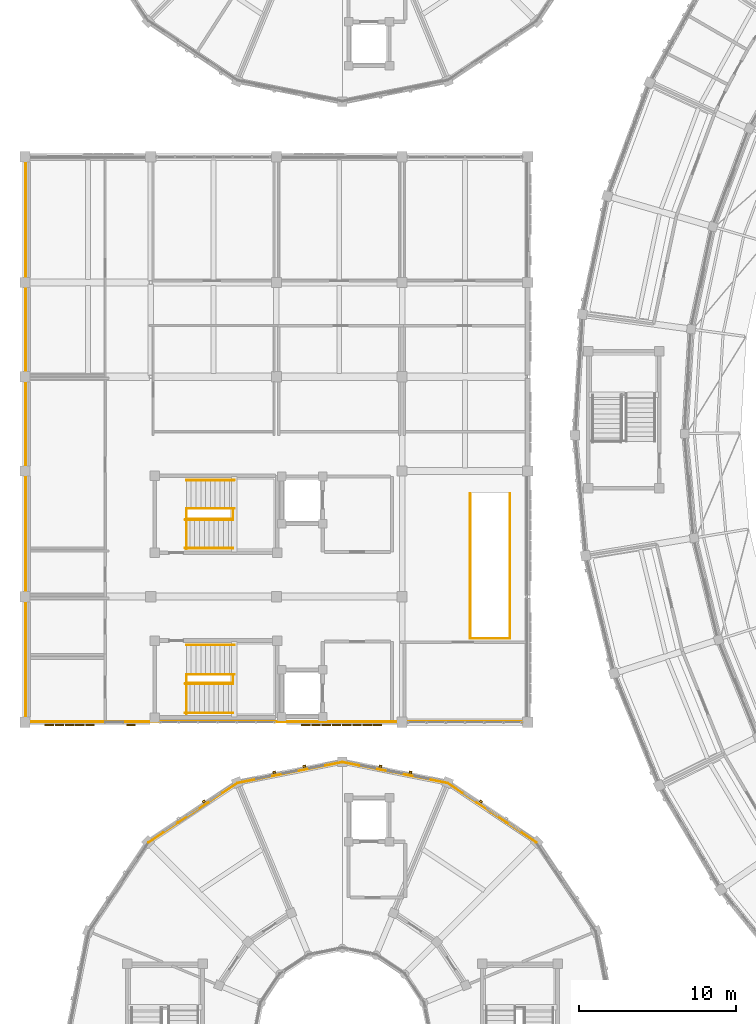
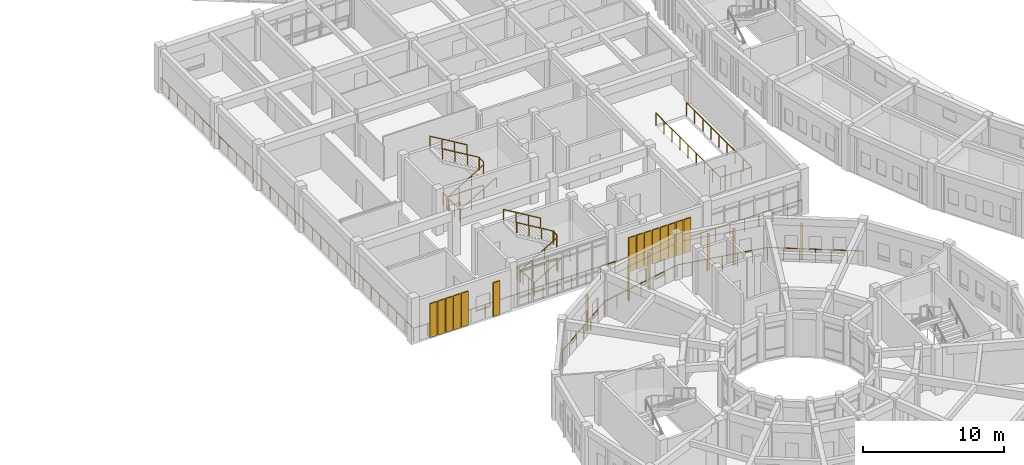
# One storey, part 97 of 112: 23 railings, 14 shading devices, 6 coverings.
"""IFC4 building model written with IfcOpenShell, lengths in metres."""

from ifc_helpers import new_model, si_unit, direction, frame, origin, origin_2d, place, context, subcontext, project, spatial, rectangle, circle, extrude, material, layer, layer_set, type_object, element, save


model = new_model("IFC4")

# Units and contexts
model_context = context("Model", 3, precision=1e-05, world=origin(), true_north=direction((0.0, 1.0)))
body_context = subcontext(model_context, "Body", "Model", "MODEL_VIEW")
ifc_project = project(units=[si_unit("LENGTHUNIT", "METRE"), si_unit("AREAUNIT", "SQUARE_METRE"), si_unit("VOLUMEUNIT", "CUBIC_METRE"), si_unit("PLANEANGLEUNIT", "RADIAN"), si_unit("MASSUNIT", "GRAM", prefix="KILO")], contexts=[model_context])

# Site, building, storey
site_placement = place(None, origin())
site = spatial("IfcSite", under=ifc_project, at=site_placement, CompositionType="ELEMENT")
building_placement = place(site_placement, origin())
building = spatial("IfcBuilding", under=site, at=building_placement, Name="Celadon Cloister-Ring School", CompositionType="ELEMENT")
storey_placement = place(building_placement, frame((0.0, 0.0, 8.5)))
storey = spatial("IfcBuildingStorey", under=building, at=storey_placement, Name="L02", CompositionType="ELEMENT", Elevation=8.5)

# Coverings
ifc_material_1 = material(Name="Perforated terracotta clay brick masonry", Category="masonry")
ifc_layer = layer(ifc_material_1, 0.139892578125)
ifc_layer_set = layer_set([ifc_layer], Name="Perforated terracotta clay brick masonry")
covering_type = type_object("IfcCoveringType", Name="CV-SC1", PredefinedType="CLADDING", material=ifc_layer_set)
for number, where, z_axis, x_axis, name in (
    (1, (29.02294921875, 34.9599609375, 0.0), (0.0, 0.0, 1.0), (0.831401730389, -0.55567181205, 0.0), "Brick Screen Rib 0642"),
    (2, (22.626953125, 37.197998046875, 0.0), (0.0, 0.0, 1.0), (0.980775064153, -0.195141675546, 0.0), "Brick Screen Rib 0644"),
    (3, (24.5390625, 36.81689453125, 0.0), (0.0, 0.0, 1.0), (0.980775064153, -0.195141675546, 0.0), "Brick Screen Rib 0645"),
    (4, (15.861083984375, 36.81689453125, 0.0), (0.0, 0.0, 1.0), (0.980775064153, 0.195141675546, 0.0), "Brick Screen Rib 0646"),
    (5, (17.77294921875, 37.197998046875, 0.0), (0.0, 0.0, 1.0), (0.980775064153, 0.195141675546, 0.0), "Brick Screen Rib 0647"),
    (6, (11.376953125, 34.9599609375, 0.0), (0.0, 0.0, 1.0), (0.831401730389, 0.55567181205, 0.0), "Brick Screen Rib 0649"),
):
    element("IfcCovering", number, at=place(storey_placement, frame(where, z_axis=z_axis, x_axis=x_axis)), inside=storey, type_object=covering_type, Name=name, PredefinedType="CLADDING", context=body_context, shape_type="SweptSolid", body=[
        extrude(rectangle(XDim=0.179931640625, YDim=0.139892578125, at=origin_2d()), origin(), (0.0, 0.0, 1.0), 3.152099609375),
    ])

# Railings
ifc_material_2 = material(Name="Structural steel S355JR", Category="steel")
railing_type_1 = type_object("IfcRailingType", Name="RL-BL1", PredefinedType="BALUSTRADE", material=ifc_material_2)
railing_1_placement = place(storey_placement, frame((32.5458984375, 32.345947265625, 0.0)))
element("IfcRailing", 7, at=railing_1_placement, inside=storey, type_object=railing_type_1, Name="Terrace Balustrade 0347", PredefinedType="BALUSTRADE", context=body_context, shape_type="SweptSolid", body=[
    extrude(circle(Radius=0.02392578125, at=origin_2d()), frame((0.0, 0.0, 1.09619140625), z_axis=(-0.831421205096, 0.555642672693, 0.0), x_axis=(-0.555642672693, -0.831421205096, 0.0)), (0.0, 0.0, 1.0), 6.812255859375),
    extrude(circle(Radius=0.02099609375, at=origin_2d()), origin(), (0.0, 0.0, 1.0), 1.072021484375),
    extrude(circle(Radius=0.02099609375, at=origin_2d()), frame((-0.94384765625, 0.630859375, 0.0)), (0.0, 0.0, 1.0), 1.072021484375),
    extrude(circle(Radius=0.02099609375, at=origin_2d()), frame((-1.887939453125, 1.26171875, 0.0)), (0.0, 0.0, 1.0), 1.072021484375),
    extrude(circle(Radius=0.02099609375, at=origin_2d()), frame((-2.83203125, 1.892578125, 0.0)), (0.0, 0.0, 1.0), 1.072021484375),
    extrude(circle(Radius=0.02099609375, at=origin_2d()), frame((-3.77587890625, 2.5234375, 0.0)), (0.0, 0.0, 1.0), 1.072021484375),
    extrude(circle(Radius=0.02099609375, at=origin_2d()), frame((-4.7197265625, 3.154296875, 0.0)), (0.0, 0.0, 1.0), 1.072021484375),
    extrude(circle(Radius=0.02099609375, at=origin_2d()), frame((-5.663818359375, 3.78515625, 0.0)), (0.0, 0.0, 1.0), 1.072021484375),
])
railing_2_placement = place(storey_placement, frame((26.882080078125, 36.131103515625, 0.0)))
element("IfcRailing", 8, at=railing_2_placement, inside=storey, type_object=railing_type_1, Name="Terrace Balustrade 0348", PredefinedType="BALUSTRADE", context=body_context, shape_type="SweptSolid", body=[
    extrude(circle(Radius=0.02392578125, at=origin_2d()), frame((0.0, 0.0, 1.09619140625), z_axis=(-0.980793723427, 0.195047871268, 0.0), x_axis=(-0.195047871268, -0.980793723427, 0.0)), (0.0, 0.0, 1.0), 6.81298828125),
    extrude(circle(Radius=0.02099609375, at=origin_2d()), origin(), (0.0, 0.0, 1.0), 1.072021484375),
    extrude(circle(Radius=0.02099609375, at=origin_2d()), frame((-1.11376953125, 0.221435546875, 0.0)), (0.0, 0.0, 1.0), 1.072021484375),
    extrude(circle(Radius=0.02099609375, at=origin_2d()), frame((-2.227294921875, 0.44287109375, 0.0)), (0.0, 0.0, 1.0), 1.072021484375),
    extrude(circle(Radius=0.02099609375, at=origin_2d()), frame((-3.341064453125, 0.66455078125, 0.0)), (0.0, 0.0, 1.0), 1.072021484375),
    extrude(circle(Radius=0.02099609375, at=origin_2d()), frame((-4.454833984375, 0.885986328125, 0.0)), (0.0, 0.0, 1.0), 1.072021484375),
    extrude(circle(Radius=0.02099609375, at=origin_2d()), frame((-5.568359375, 1.107421875, 0.0)), (0.0, 0.0, 1.0), 1.072021484375),
    extrude(circle(Radius=0.02099609375, at=origin_2d()), frame((-6.68212890625, 1.328857421875, 0.0)), (0.0, 0.0, 1.0), 1.072021484375),
])
railing_3_placement = place(storey_placement, frame((20.199951171875, 37.4599609375, 0.0)))
element("IfcRailing", 9, at=railing_3_placement, inside=storey, type_object=railing_type_1, Name="Terrace Balustrade 0349", PredefinedType="BALUSTRADE", context=body_context, shape_type="SweptSolid", body=[
    extrude(circle(Radius=0.02392578125, at=origin_2d()), frame((0.0, 0.0, 1.09619140625), z_axis=(-0.980792360074, -0.19505472673, 0.0), x_axis=(0.19505472673, -0.980792360074, 0.0)), (0.0, 0.0, 1.0), 6.812744140625),
    extrude(circle(Radius=0.02099609375, at=origin_2d()), origin(), (0.0, 0.0, 1.0), 1.072021484375),
    extrude(circle(Radius=0.02099609375, at=origin_2d()), frame((-1.11376953125, -0.221435546875, 0.0)), (0.0, 0.0, 1.0), 1.072021484375),
    extrude(circle(Radius=0.02099609375, at=origin_2d()), frame((-2.227294921875, -0.44287109375, 0.0)), (0.0, 0.0, 1.0), 1.072021484375),
    extrude(circle(Radius=0.02099609375, at=origin_2d()), frame((-3.3408203125, -0.66455078125, 0.0)), (0.0, 0.0, 1.0), 1.072021484375),
    extrude(circle(Radius=0.02099609375, at=origin_2d()), frame((-4.45458984375, -0.885986328125, 0.0)), (0.0, 0.0, 1.0), 1.072021484375),
    extrude(circle(Radius=0.02099609375, at=origin_2d()), frame((-5.568359375, -1.107421875, 0.0)), (0.0, 0.0, 1.0), 1.072021484375),
    extrude(circle(Radius=0.02099609375, at=origin_2d()), frame((-6.681884765625, -1.328857421875, 0.0)), (0.0, 0.0, 1.0), 1.072021484375),
])
railing_4_placement = place(storey_placement, frame((13.51806640625, 36.131103515625, 0.0)))
element("IfcRailing", 10, at=railing_4_placement, inside=storey, type_object=railing_type_1, Name="Terrace Balustrade 0350", PredefinedType="BALUSTRADE", context=body_context, shape_type="SweptSolid", body=[
    extrude(circle(Radius=0.02392578125, at=origin_2d()), frame((0.0, 0.0, 1.09619140625), z_axis=(-0.831432269387, -0.555626116577, 0.0), x_axis=(0.555626116577, -0.831432269387, 0.0)), (0.0, 0.0, 1.0), 6.8125),
    extrude(circle(Radius=0.02099609375, at=origin_2d()), origin(), (0.0, 0.0, 1.0), 1.072021484375),
    extrude(circle(Radius=0.02099609375, at=origin_2d()), frame((-0.944091796875, -0.630859375, 0.0)), (0.0, 0.0, 1.0), 1.072021484375),
    extrude(circle(Radius=0.02099609375, at=origin_2d()), frame((-1.887939453125, -1.26171875, 0.0)), (0.0, 0.0, 1.0), 1.072021484375),
    extrude(circle(Radius=0.02099609375, at=origin_2d()), frame((-2.83203125, -1.892578125, 0.0)), (0.0, 0.0, 1.0), 1.072021484375),
    extrude(circle(Radius=0.02099609375, at=origin_2d()), frame((-3.776123046875, -2.5234375, 0.0)), (0.0, 0.0, 1.0), 1.072021484375),
    extrude(circle(Radius=0.02099609375, at=origin_2d()), frame((-4.719970703125, -3.154296875, 0.0)), (0.0, 0.0, 1.0), 1.072021484375),
    extrude(circle(Radius=0.02099609375, at=origin_2d()), frame((-5.6640625, -3.78515625, 0.0)), (0.0, 0.0, 1.0), 1.072021484375),
])
railing_5_placement = place(storey_placement, frame((0.0400390625, 40.0400390625, 0.0)))
element("IfcRailing", 11, at=railing_5_placement, inside=storey, type_object=railing_type_1, Name="Terrace Balustrade 0448", PredefinedType="BALUSTRADE", context=body_context, shape_type="SweptSolid", body=[
    extrude(circle(Radius=0.02392578125, at=origin_2d()), frame((0.0, 0.0, 1.09619140625), z_axis=(1.0, 0.0, 0.0), x_axis=(0.0, 1.0, 0.0)), (0.0, 0.0, 1.0), 31.919921875),
    extrude(circle(Radius=0.02099609375, at=origin_2d()), origin(), (0.0, 0.0, 1.0), 1.072021484375),
    extrude(circle(Radius=0.02099609375, at=origin_2d()), frame((1.18212890625, 0.0, 0.0)), (0.0, 0.0, 1.0), 1.072021484375),
    extrude(circle(Radius=0.02099609375, at=origin_2d()), frame((2.364501953125, 0.0, 0.0)), (0.0, 0.0, 1.0), 1.072021484375),
    extrude(circle(Radius=0.02099609375, at=origin_2d()), frame((3.546630859375, 0.0, 0.0)), (0.0, 0.0, 1.0), 1.072021484375),
    extrude(circle(Radius=0.02099609375, at=origin_2d()), frame((4.728759765625, 0.0, 0.0)), (0.0, 0.0, 1.0), 1.072021484375),
    extrude(circle(Radius=0.02099609375, at=origin_2d()), frame((5.9111328125, 0.0, 0.0)), (0.0, 0.0, 1.0), 1.072021484375),
    extrude(circle(Radius=0.02099609375, at=origin_2d()), frame((7.09326171875, 0.0, 0.0)), (0.0, 0.0, 1.0), 1.072021484375),
    extrude(circle(Radius=0.02099609375, at=origin_2d()), frame((8.275634765625, 0.0, 0.0)), (0.0, 0.0, 1.0), 1.072021484375),
    extrude(circle(Radius=0.02099609375, at=origin_2d()), frame((9.457763671875, 0.0, 0.0)), (0.0, 0.0, 1.0), 1.072021484375),
    extrude(circle(Radius=0.02099609375, at=origin_2d()), frame((10.639892578125, 0.0, 0.0)), (0.0, 0.0, 1.0), 1.072021484375),
    extrude(circle(Radius=0.02099609375, at=origin_2d()), frame((11.822265625, 0.0, 0.0)), (0.0, 0.0, 1.0), 1.072021484375),
    extrude(circle(Radius=0.02099609375, at=origin_2d()), frame((13.00439453125, 0.0, 0.0)), (0.0, 0.0, 1.0), 1.072021484375),
    extrude(circle(Radius=0.02099609375, at=origin_2d()), frame((14.1865234375, 0.0, 0.0)), (0.0, 0.0, 1.0), 1.072021484375),
    extrude(circle(Radius=0.02099609375, at=origin_2d()), frame((15.368896484375, 0.0, 0.0)), (0.0, 0.0, 1.0), 1.072021484375),
    extrude(circle(Radius=0.02099609375, at=origin_2d()), frame((16.551025390625, 0.0, 0.0)), (0.0, 0.0, 1.0), 1.072021484375),
    extrude(circle(Radius=0.02099609375, at=origin_2d()), frame((17.7333984375, 0.0, 0.0)), (0.0, 0.0, 1.0), 1.072021484375),
    extrude(circle(Radius=0.02099609375, at=origin_2d()), frame((18.91552734375, 0.0, 0.0)), (0.0, 0.0, 1.0), 1.072021484375),
    extrude(circle(Radius=0.02099609375, at=origin_2d()), frame((20.09765625, 0.0, 0.0)), (0.0, 0.0, 1.0), 1.072021484375),
    extrude(circle(Radius=0.02099609375, at=origin_2d()), frame((21.280029296875, 0.0, 0.0)), (0.0, 0.0, 1.0), 1.072021484375),
    extrude(circle(Radius=0.02099609375, at=origin_2d()), frame((22.462158203125, 0.0, 0.0)), (0.0, 0.0, 1.0), 1.072021484375),
    extrude(circle(Radius=0.02099609375, at=origin_2d()), frame((23.644287109375, 0.0, 0.0)), (0.0, 0.0, 1.0), 1.072021484375),
    extrude(circle(Radius=0.02099609375, at=origin_2d()), frame((24.82666015625, 0.0, 0.0)), (0.0, 0.0, 1.0), 1.072021484375),
    extrude(circle(Radius=0.02099609375, at=origin_2d()), frame((26.0087890625, 0.0, 0.0)), (0.0, 0.0, 1.0), 1.072021484375),
    extrude(circle(Radius=0.02099609375, at=origin_2d()), frame((27.191162109375, 0.0, 0.0)), (0.0, 0.0, 1.0), 1.072021484375),
    extrude(circle(Radius=0.02099609375, at=origin_2d()), frame((28.373291015625, 0.0, 0.0)), (0.0, 0.0, 1.0), 1.072021484375),
    extrude(circle(Radius=0.02099609375, at=origin_2d()), frame((29.555419921875, 0.0, 0.0)), (0.0, 0.0, 1.0), 1.072021484375),
    extrude(circle(Radius=0.02099609375, at=origin_2d()), frame((30.73779296875, 0.0, 0.0)), (0.0, 0.0, 1.0), 1.072021484375),
    extrude(circle(Radius=0.02099609375, at=origin_2d()), frame((31.919921875, 0.0, 0.0)), (0.0, 0.0, 1.0), 1.072021484375),
])
railing_6_placement = place(storey_placement, frame((0.0400390625, 75.9599609375, 0.0)))
element("IfcRailing", 12, at=railing_6_placement, inside=storey, type_object=railing_type_1, Name="Terrace Balustrade 0451", PredefinedType="BALUSTRADE", context=body_context, shape_type="SweptSolid", body=[
    extrude(circle(Radius=0.02392578125, at=origin_2d()), frame((0.0, 0.0, 1.09619140625), z_axis=(0.0, -1.0, 0.0), x_axis=(1.0, 0.0, 0.0)), (0.0, 0.0, 1.0), 35.919921875),
    extrude(circle(Radius=0.02099609375, at=origin_2d()), origin(), (0.0, 0.0, 1.0), 1.072021484375),
    extrude(circle(Radius=0.02099609375, at=origin_2d()), frame((0.0, -1.197265625, 0.0)), (0.0, 0.0, 1.0), 1.072021484375),
    extrude(circle(Radius=0.02099609375, at=origin_2d()), frame((0.0, -2.394775390625, 0.0)), (0.0, 0.0, 1.0), 1.072021484375),
    extrude(circle(Radius=0.02099609375, at=origin_2d()), frame((0.0, -3.592041015625, 0.0)), (0.0, 0.0, 1.0), 1.072021484375),
    extrude(circle(Radius=0.02099609375, at=origin_2d()), frame((0.0, -4.789306640625, 0.0)), (0.0, 0.0, 1.0), 1.072021484375),
    extrude(circle(Radius=0.02099609375, at=origin_2d()), frame((0.0, -5.986572265625, 0.0)), (0.0, 0.0, 1.0), 1.072021484375),
    extrude(circle(Radius=0.02099609375, at=origin_2d()), frame((0.0, -7.18408203125, 0.0)), (0.0, 0.0, 1.0), 1.072021484375),
    extrude(circle(Radius=0.02099609375, at=origin_2d()), frame((0.0, -8.38134765625, 0.0)), (0.0, 0.0, 1.0), 1.072021484375),
    extrude(circle(Radius=0.02099609375, at=origin_2d()), frame((0.0, -9.57861328125, 0.0)), (0.0, 0.0, 1.0), 1.072021484375),
    extrude(circle(Radius=0.02099609375, at=origin_2d()), frame((0.0, -10.77587890625, 0.0)), (0.0, 0.0, 1.0), 1.072021484375),
    extrude(circle(Radius=0.02099609375, at=origin_2d()), frame((0.0, -11.973388671875, 0.0)), (0.0, 0.0, 1.0), 1.072021484375),
    extrude(circle(Radius=0.02099609375, at=origin_2d()), frame((0.0, -13.170654296875, 0.0)), (0.0, 0.0, 1.0), 1.072021484375),
    extrude(circle(Radius=0.02099609375, at=origin_2d()), frame((0.0, -14.367919921875, 0.0)), (0.0, 0.0, 1.0), 1.072021484375),
    extrude(circle(Radius=0.02099609375, at=origin_2d()), frame((0.0, -15.565185546875, 0.0)), (0.0, 0.0, 1.0), 1.072021484375),
    extrude(circle(Radius=0.02099609375, at=origin_2d()), frame((0.0, -16.7626953125, 0.0)), (0.0, 0.0, 1.0), 1.072021484375),
    extrude(circle(Radius=0.02099609375, at=origin_2d()), frame((0.0, -17.9599609375, 0.0)), (0.0, 0.0, 1.0), 1.072021484375),
    extrude(circle(Radius=0.02099609375, at=origin_2d()), frame((0.0, -19.1572265625, 0.0)), (0.0, 0.0, 1.0), 1.072021484375),
    extrude(circle(Radius=0.02099609375, at=origin_2d()), frame((0.0, -20.354736328125, 0.0)), (0.0, 0.0, 1.0), 1.072021484375),
    extrude(circle(Radius=0.02099609375, at=origin_2d()), frame((0.0, -21.552001953125, 0.0)), (0.0, 0.0, 1.0), 1.072021484375),
    extrude(circle(Radius=0.02099609375, at=origin_2d()), frame((0.0, -22.749267578125, 0.0)), (0.0, 0.0, 1.0), 1.072021484375),
    extrude(circle(Radius=0.02099609375, at=origin_2d()), frame((0.0, -23.946533203125, 0.0)), (0.0, 0.0, 1.0), 1.072021484375),
    extrude(circle(Radius=0.02099609375, at=origin_2d()), frame((0.0, -25.14404296875, 0.0)), (0.0, 0.0, 1.0), 1.072021484375),
    extrude(circle(Radius=0.02099609375, at=origin_2d()), frame((0.0, -26.34130859375, 0.0)), (0.0, 0.0, 1.0), 1.072021484375),
    extrude(circle(Radius=0.02099609375, at=origin_2d()), frame((0.0, -27.53857421875, 0.0)), (0.0, 0.0, 1.0), 1.072021484375),
    extrude(circle(Radius=0.02099609375, at=origin_2d()), frame((0.0, -28.73583984375, 0.0)), (0.0, 0.0, 1.0), 1.072021484375),
    extrude(circle(Radius=0.02099609375, at=origin_2d()), frame((0.0, -29.933349609375, 0.0)), (0.0, 0.0, 1.0), 1.072021484375),
    extrude(circle(Radius=0.02099609375, at=origin_2d()), frame((0.0, -31.130615234375, 0.0)), (0.0, 0.0, 1.0), 1.072021484375),
    extrude(circle(Radius=0.02099609375, at=origin_2d()), frame((0.0, -32.327880859375, 0.0)), (0.0, 0.0, 1.0), 1.072021484375),
    extrude(circle(Radius=0.02099609375, at=origin_2d()), frame((0.0, -33.525146484375, 0.0)), (0.0, 0.0, 1.0), 1.072021484375),
    extrude(circle(Radius=0.02099609375, at=origin_2d()), frame((0.0, -34.72265625, 0.0)), (0.0, 0.0, 1.0), 1.072021484375),
    extrude(circle(Radius=0.02099609375, at=origin_2d()), frame((0.0, -35.919921875, 0.0)), (0.0, 0.0, 1.0), 1.072021484375),
])
ifc_material_3 = material(Name="Structural steel S355JR", Category="steel")
railing_type_2 = type_object("IfcRailingType", Name="RL-BL2", PredefinedType="BALUSTRADE", material=ifc_material_3)
railing_7_placement = place(storey_placement, frame((13.239990234375, 42.5, 2.0)))
element("IfcRailing", 13, at=railing_7_placement, inside=storey, type_object=railing_type_2, Name="Interior Guard 0017", PredefinedType="BALUSTRADE", context=body_context, shape_type="SweptSolid", body=[
    extrude(circle(Radius=0.02392578125, at=origin_2d()), frame((0.0, 0.0, 1.09619140625), z_axis=(0.0, 1.0, 0.0), x_axis=(-1.0, 0.0, 0.0)), (0.0, 0.0, 1.0), 0.5),
    extrude(circle(Radius=0.02099609375, at=origin_2d()), origin(), (0.0, 0.0, 1.0), 1.072021484375),
    extrude(circle(Radius=0.02099609375, at=origin_2d()), frame((0.0, 0.5, 0.0)), (0.0, 0.0, 1.0), 1.072021484375),
])
railing_8_placement = place(storey_placement, frame((10.27001953125, 40.5400390625, 0.0)))
element("IfcRailing", 14, at=railing_8_placement, inside=storey, type_object=railing_type_2, Name="Interior Guard 0018", PredefinedType="BALUSTRADE", context=body_context, shape_type="SweptSolid", body=[
    extrude(circle(Radius=0.02392578125, at=origin_2d()), frame((0.0, 0.0, 1.09619140625), z_axis=(0.0, 1.0, 0.0), x_axis=(-1.0, 0.0, 0.0)), (0.0, 0.0, 1.0), 2.4599609375),
    extrude(circle(Radius=0.02099609375, at=origin_2d()), origin(), (0.0, 0.0, 1.0), 1.072021484375),
    extrude(circle(Radius=0.02099609375, at=origin_2d()), frame((0.0, 0.820068359375, 0.0)), (0.0, 0.0, 1.0), 1.072021484375),
    extrude(circle(Radius=0.02099609375, at=origin_2d()), frame((0.0, 1.639892578125, 0.0)), (0.0, 0.0, 1.0), 1.072021484375),
    extrude(circle(Radius=0.02099609375, at=origin_2d()), frame((0.0, 2.4599609375, 0.0)), (0.0, 0.0, 1.0), 1.072021484375),
])
railing_9_placement = place(storey_placement, frame((10.27001953125, 42.5, 0.0)))
element("IfcRailing", 15, at=railing_9_placement, inside=storey, type_object=railing_type_2, Name="Interior Guard 0019", PredefinedType="BALUSTRADE", context=body_context, shape_type="SweptSolid", body=[
    extrude(circle(Radius=0.02392578125, at=origin_2d()), frame((0.0, 0.0, 1.09619140625), z_axis=(1.0, 0.0, 0.0), x_axis=(0.0, 1.0, 0.0)), (0.0, 0.0, 1.0), 2.969970703125),
    extrude(circle(Radius=0.02099609375, at=origin_2d()), origin(), (0.0, 0.0, 1.0), 1.072021484375),
    extrude(circle(Radius=0.02099609375, at=origin_2d()), frame((0.989990234375, 0.0, 0.0)), (0.0, 0.0, 1.0), 1.072021484375),
    extrude(circle(Radius=0.02099609375, at=origin_2d()), frame((1.97998046875, 0.0, 0.0)), (0.0, 0.0, 1.0), 1.072021484375),
    extrude(circle(Radius=0.02099609375, at=origin_2d()), frame((2.969970703125, 0.0, 0.0)), (0.0, 0.0, 1.0), 1.072021484375),
])
railing_10_placement = place(storey_placement, frame((13.239990234375, 52.93994140625, 2.0)))
element("IfcRailing", 16, at=railing_10_placement, inside=storey, type_object=railing_type_2, Name="Interior Guard 0052", PredefinedType="BALUSTRADE", context=body_context, shape_type="SweptSolid", body=[
    extrude(circle(Radius=0.02392578125, at=origin_2d()), frame((0.0, 0.0, 1.09619140625), z_axis=(0.0, 1.0, 0.0), x_axis=(-1.0, 0.0, 0.0)), (0.0, 0.0, 1.0), 0.6201171875),
    extrude(circle(Radius=0.02099609375, at=origin_2d()), origin(), (0.0, 0.0, 1.0), 1.072021484375),
    extrude(circle(Radius=0.02099609375, at=origin_2d()), frame((0.0, 0.6201171875, 0.0)), (0.0, 0.0, 1.0), 1.072021484375),
])
railing_11_placement = place(storey_placement, frame((10.27001953125, 51.0400390625, 0.0)))
element("IfcRailing", 17, at=railing_11_placement, inside=storey, type_object=railing_type_2, Name="Interior Guard 0053", PredefinedType="BALUSTRADE", context=body_context, shape_type="SweptSolid", body=[
    extrude(circle(Radius=0.02392578125, at=origin_2d()), frame((0.0, 0.0, 1.09619140625), z_axis=(0.0, 1.0, 0.0), x_axis=(-1.0, 0.0, 0.0)), (0.0, 0.0, 1.0), 2.52001953125),
    extrude(circle(Radius=0.02099609375, at=origin_2d()), origin(), (0.0, 0.0, 1.0), 1.072021484375),
    extrude(circle(Radius=0.02099609375, at=origin_2d()), frame((0.0, 0.840087890625, 0.0)), (0.0, 0.0, 1.0), 1.072021484375),
    extrude(circle(Radius=0.02099609375, at=origin_2d()), frame((0.0, 1.679931640625, 0.0)), (0.0, 0.0, 1.0), 1.072021484375),
    extrude(circle(Radius=0.02099609375, at=origin_2d()), frame((0.0, 2.52001953125, 0.0)), (0.0, 0.0, 1.0), 1.072021484375),
])
railing_12_placement = place(storey_placement, frame((10.27001953125, 52.93994140625, 0.0)))
element("IfcRailing", 18, at=railing_12_placement, inside=storey, type_object=railing_type_2, Name="Interior Guard 0054", PredefinedType="BALUSTRADE", context=body_context, shape_type="SweptSolid", body=[
    extrude(circle(Radius=0.02392578125, at=origin_2d()), frame((0.0, 0.0, 1.09619140625), z_axis=(1.0, 0.0, 0.0), x_axis=(0.0, 1.0, 0.0)), (0.0, 0.0, 1.0), 2.969970703125),
    extrude(circle(Radius=0.02099609375, at=origin_2d()), origin(), (0.0, 0.0, 1.0), 1.072021484375),
    extrude(circle(Radius=0.02099609375, at=origin_2d()), frame((0.989990234375, 0.0, 0.0)), (0.0, 0.0, 1.0), 1.072021484375),
    extrude(circle(Radius=0.02099609375, at=origin_2d()), frame((1.97998046875, 0.0, 0.0)), (0.0, 0.0, 1.0), 1.072021484375),
    extrude(circle(Radius=0.02099609375, at=origin_2d()), frame((2.969970703125, 0.0, 0.0)), (0.0, 0.0, 1.0), 1.072021484375),
])
railing_13_placement = place(storey_placement, frame((28.3349609375, 54.550048828125, 0.0)))
element("IfcRailing", 19, at=railing_13_placement, inside=storey, type_object=railing_type_2, Name="Interior Guard 0279", PredefinedType="BALUSTRADE", context=body_context, shape_type="SweptSolid", body=[
    extrude(circle(Radius=0.02392578125, at=origin_2d()), frame((0.0, 0.0, 1.09619140625), z_axis=(0.0, -1.0, 0.0), x_axis=(1.0, 0.0, 0.0)), (0.0, 0.0, 1.0), 9.215087890625),
    extrude(circle(Radius=0.02099609375, at=origin_2d()), origin(), (0.0, 0.0, 1.0), 1.072021484375),
    extrude(circle(Radius=0.02099609375, at=origin_2d()), frame((0.0, -1.15185546875, 0.0)), (0.0, 0.0, 1.0), 1.072021484375),
    extrude(circle(Radius=0.02099609375, at=origin_2d()), frame((0.0, -2.3037109375, 0.0)), (0.0, 0.0, 1.0), 1.072021484375),
    extrude(circle(Radius=0.02099609375, at=origin_2d()), frame((0.0, -3.45556640625, 0.0)), (0.0, 0.0, 1.0), 1.072021484375),
    extrude(circle(Radius=0.02099609375, at=origin_2d()), frame((0.0, -4.607421875, 0.0)), (0.0, 0.0, 1.0), 1.072021484375),
    extrude(circle(Radius=0.02099609375, at=origin_2d()), frame((0.0, -5.759521484375, 0.0)), (0.0, 0.0, 1.0), 1.072021484375),
    extrude(circle(Radius=0.02099609375, at=origin_2d()), frame((0.0, -6.911376953125, 0.0)), (0.0, 0.0, 1.0), 1.072021484375),
    extrude(circle(Radius=0.02099609375, at=origin_2d()), frame((0.0, -8.063232421875, 0.0)), (0.0, 0.0, 1.0), 1.072021484375),
    extrude(circle(Radius=0.02099609375, at=origin_2d()), frame((0.0, -9.215087890625, 0.0)), (0.0, 0.0, 1.0), 1.072021484375),
])
railing_14_placement = place(storey_placement, frame((28.3349609375, 45.3349609375, 0.0)))
element("IfcRailing", 20, at=railing_14_placement, inside=storey, type_object=railing_type_2, Name="Interior Guard 0280", PredefinedType="BALUSTRADE", context=body_context, shape_type="SweptSolid", body=[
    extrude(circle(Radius=0.02392578125, at=origin_2d()), frame((0.0, 0.0, 1.09619140625), z_axis=(1.0, 0.0, 0.0), x_axis=(0.0, 1.0, 0.0)), (0.0, 0.0, 1.0), 2.530029296875),
    extrude(circle(Radius=0.02099609375, at=origin_2d()), origin(), (0.0, 0.0, 1.0), 1.072021484375),
    extrude(circle(Radius=0.02099609375, at=origin_2d()), frame((0.84326171875, 0.0, 0.0)), (0.0, 0.0, 1.0), 1.072021484375),
    extrude(circle(Radius=0.02099609375, at=origin_2d()), frame((1.686767578125, 0.0, 0.0)), (0.0, 0.0, 1.0), 1.072021484375),
    extrude(circle(Radius=0.02099609375, at=origin_2d()), frame((2.530029296875, 0.0, 0.0)), (0.0, 0.0, 1.0), 1.072021484375),
])
railing_15_placement = place(storey_placement, frame((30.864990234375, 45.3349609375, 0.0)))
element("IfcRailing", 21, at=railing_15_placement, inside=storey, type_object=railing_type_2, Name="Interior Guard 0281", PredefinedType="BALUSTRADE", context=body_context, shape_type="SweptSolid", body=[
    extrude(circle(Radius=0.02392578125, at=origin_2d()), frame((0.0, 0.0, 1.09619140625), z_axis=(0.0, 1.0, 0.0), x_axis=(-1.0, 0.0, 0.0)), (0.0, 0.0, 1.0), 9.215087890625),
    extrude(circle(Radius=0.02099609375, at=origin_2d()), origin(), (0.0, 0.0, 1.0), 1.072021484375),
    extrude(circle(Radius=0.02099609375, at=origin_2d()), frame((0.0, 1.15185546875, 0.0)), (0.0, 0.0, 1.0), 1.072021484375),
    extrude(circle(Radius=0.02099609375, at=origin_2d()), frame((0.0, 2.3037109375, 0.0)), (0.0, 0.0, 1.0), 1.072021484375),
    extrude(circle(Radius=0.02099609375, at=origin_2d()), frame((0.0, 3.45556640625, 0.0)), (0.0, 0.0, 1.0), 1.072021484375),
    extrude(circle(Radius=0.02099609375, at=origin_2d()), frame((0.0, 4.607421875, 0.0)), (0.0, 0.0, 1.0), 1.072021484375),
    extrude(circle(Radius=0.02099609375, at=origin_2d()), frame((0.0, 5.759521484375, 0.0)), (0.0, 0.0, 1.0), 1.072021484375),
    extrude(circle(Radius=0.02099609375, at=origin_2d()), frame((0.0, 6.911376953125, 0.0)), (0.0, 0.0, 1.0), 1.072021484375),
    extrude(circle(Radius=0.02099609375, at=origin_2d()), frame((0.0, 8.063232421875, 0.0)), (0.0, 0.0, 1.0), 1.072021484375),
    extrude(circle(Radius=0.02099609375, at=origin_2d()), frame((0.0, 9.215087890625, 0.0)), (0.0, 0.0, 1.0), 1.072021484375),
])
ifc_material_4 = material(Name="Structural steel S355JR", Category="steel")
railing_type_3 = type_object("IfcRailingType", Name="RL-HR1", PredefinedType="HANDRAIL", material=ifc_material_4)
for number, where, name in (
    (22, (10.18994140625, 40.5849609375, 0.181884765625), "Stair Handrail 0013"),
    (23, (10.18994140625, 42.455078125, 0.181884765625), "Stair Handrail 0014"),
):
    element("IfcRailing", number, at=place(storey_placement, frame(where)), inside=storey, type_object=railing_type_3, Name=name, PredefinedType="HANDRAIL", context=body_context, shape_type="SweptSolid", body=[
        extrude(circle(Radius=0.02099609375, at=origin_2d()), frame((0.0, 0.0, 0.87890625), z_axis=(0.858969654429, 0.0, 0.51202649616), x_axis=(0.0, 1.0, 0.0)), (0.0, 0.0, 1.0), 3.55078125),
        extrude(circle(Radius=0.01806640625, at=origin_2d()), origin(), (0.0, 0.0, 1.0), 0.85791015625),
        extrude(circle(Radius=0.01806640625, at=origin_2d()), frame((1.0166015625, 0.0, 0.60595703125)), (0.0, 0.0, 1.0), 0.85791015625),
        extrude(circle(Radius=0.01806640625, at=origin_2d()), frame((2.033447265625, 0.0, 1.212158203125)), (0.0, 0.0, 1.0), 0.85791015625),
        extrude(circle(Radius=0.01806640625, at=origin_2d()), frame((3.050048828125, 0.0, 1.818115234375)), (0.0, 0.0, 1.0), 0.85791015625),
    ])
for number, where, name in (
    (24, (13.320068359375, 44.9150390625, 2.181884765625), "Stair Handrail 0015"),
    (25, (13.320068359375, 43.044921875, 2.181884765625), "Stair Handrail 0016"),
):
    element("IfcRailing", number, at=place(storey_placement, frame(where)), inside=storey, type_object=railing_type_3, Name=name, PredefinedType="HANDRAIL", context=body_context, shape_type="SweptSolid", body=[
        extrude(circle(Radius=0.02099609375, at=origin_2d()), frame((0.0, 0.0, 0.87890625), z_axis=(-0.858969654429, 0.0, 0.51202649616), x_axis=(0.0, -1.0, 0.0)), (0.0, 0.0, 1.0), 3.55078125),
        extrude(circle(Radius=0.01806640625, at=origin_2d()), origin(), (0.0, 0.0, 1.0), 0.85791015625),
        extrude(circle(Radius=0.01806640625, at=origin_2d()), frame((-1.0166015625, 0.0, 0.60595703125)), (0.0, 0.0, 1.0), 0.85791015625),
        extrude(circle(Radius=0.01806640625, at=origin_2d()), frame((-2.033447265625, 0.0, 1.212158203125)), (0.0, 0.0, 1.0), 0.85791015625),
        extrude(circle(Radius=0.01806640625, at=origin_2d()), frame((-3.050048828125, 0.0, 1.818115234375)), (0.0, 0.0, 1.0), 0.85791015625),
    ])
for number, where, name in (
    (26, (10.18994140625, 51.0849609375, 0.181884765625), "Stair Handrail 0048"),
    (27, (10.18994140625, 52.89501953125, 0.181884765625), "Stair Handrail 0049"),
):
    element("IfcRailing", number, at=place(storey_placement, frame(where)), inside=storey, type_object=railing_type_3, Name=name, PredefinedType="HANDRAIL", context=body_context, shape_type="SweptSolid", body=[
        extrude(circle(Radius=0.02099609375, at=origin_2d()), frame((0.0, 0.0, 0.87890625), z_axis=(0.858969654429, 0.0, 0.51202649616), x_axis=(0.0, 1.0, 0.0)), (0.0, 0.0, 1.0), 3.55078125),
        extrude(circle(Radius=0.01806640625, at=origin_2d()), origin(), (0.0, 0.0, 1.0), 0.85791015625),
        extrude(circle(Radius=0.01806640625, at=origin_2d()), frame((1.0166015625, 0.0, 0.60595703125)), (0.0, 0.0, 1.0), 0.85791015625),
        extrude(circle(Radius=0.01806640625, at=origin_2d()), frame((2.033447265625, 0.0, 1.212158203125)), (0.0, 0.0, 1.0), 0.85791015625),
        extrude(circle(Radius=0.01806640625, at=origin_2d()), frame((3.050048828125, 0.0, 1.818115234375)), (0.0, 0.0, 1.0), 0.85791015625),
    ])
for number, where, name in (
    (28, (13.320068359375, 55.4150390625, 2.181884765625), "Stair Handrail 0050"),
    (29, (13.320068359375, 53.60498046875, 2.181884765625), "Stair Handrail 0051"),
):
    element("IfcRailing", number, at=place(storey_placement, frame(where)), inside=storey, type_object=railing_type_3, Name=name, PredefinedType="HANDRAIL", context=body_context, shape_type="SweptSolid", body=[
        extrude(circle(Radius=0.02099609375, at=origin_2d()), frame((0.0, 0.0, 0.87890625), z_axis=(-0.858969654429, 0.0, 0.51202649616), x_axis=(0.0, -1.0, 0.0)), (0.0, 0.0, 1.0), 3.55078125),
        extrude(circle(Radius=0.01806640625, at=origin_2d()), origin(), (0.0, 0.0, 1.0), 0.85791015625),
        extrude(circle(Radius=0.01806640625, at=origin_2d()), frame((-1.0166015625, 0.0, 0.60595703125)), (0.0, 0.0, 1.0), 0.85791015625),
        extrude(circle(Radius=0.01806640625, at=origin_2d()), frame((-2.033447265625, 0.0, 1.212158203125)), (0.0, 0.0, 1.0), 0.85791015625),
        extrude(circle(Radius=0.01806640625, at=origin_2d()), frame((-3.050048828125, 0.0, 1.818115234375)), (0.0, 0.0, 1.0), 0.85791015625),
    ])

# Shading devices
ifc_material_5 = material(Name="Glazed celadon architectural terracotta", Category="masonry")
shading_device_type = type_object("IfcShadingDeviceType", Name="SD-01", PredefinedType="USERDEFINED", material=ifc_material_5)
for number, where, z_axis, x_axis, name in (
    (30, (22.425048828125, 39.827880859375, 0.0), (0.0, 0.0, 1.0), (-1.0, 0.0, 0.0), "Celadon Sunshade Screen 0216"),
    (31, (21.77490234375, 39.827880859375, 0.0), (0.0, 0.0, 1.0), (-1.0, 0.0, 0.0), "Celadon Sunshade Screen 0217"),
    (32, (21.125, 39.827880859375, 0.0), (0.0, 0.0, 1.0), (-1.0, 0.0, 0.0), "Celadon Sunshade Screen 0218"),
    (33, (20.47509765625, 39.827880859375, 0.0), (0.0, 0.0, 1.0), (-1.0, 0.0, 0.0), "Celadon Sunshade Screen 0219"),
    (34, (19.824951171875, 39.827880859375, 0.0), (0.0, 0.0, 1.0), (-1.0, 0.0, 0.0), "Celadon Sunshade Screen 0220"),
    (35, (19.175048828125, 39.827880859375, 0.0), (0.0, 0.0, 1.0), (-1.0, 0.0, 0.0), "Celadon Sunshade Screen 0221"),
    (36, (18.52490234375, 39.827880859375, 0.0), (0.0, 0.0, 1.0), (-1.0, 0.0, 0.0), "Celadon Sunshade Screen 0222"),
    (37, (17.875, 39.827880859375, 0.0), (0.0, 0.0, 1.0), (-1.0, 0.0, 0.0), "Celadon Sunshade Screen 0223"),
    (38, (6.738037109375, 39.827880859375, 0.0), (0.0, 0.0, 1.0), (-1.0, 0.0, 0.0), "Celadon Sunshade Screen 0224"),
    (39, (4.137939453125, 39.827880859375, 0.0), (0.0, 0.0, 1.0), (-1.0, 0.0, 0.0), "Celadon Sunshade Screen 0225"),
    (40, (3.488037109375, 39.827880859375, 0.0), (0.0, 0.0, 1.0), (-1.0, 0.0, 0.0), "Celadon Sunshade Screen 0226"),
    (41, (2.837890625, 39.827880859375, 0.0), (0.0, 0.0, 1.0), (-1.0, 0.0, 0.0), "Celadon Sunshade Screen 0227"),
    (42, (2.18798828125, 39.827880859375, 0.0), (0.0, 0.0, 1.0), (-1.0, 0.0, 0.0), "Celadon Sunshade Screen 0228"),
    (43, (1.537109375, 39.827880859375, 0.0), (0.0, 0.0, 1.0), (-1.0, 0.0, 0.0), "Celadon Sunshade Screen 0229"),
):
    element("IfcShadingDevice", number, at=place(storey_placement, frame(where, z_axis=z_axis, x_axis=x_axis)), inside=storey, type_object=shading_device_type, Name=name, ObjectType="SUNSHADE", PredefinedType="USERDEFINED", context=body_context, shape_type="SweptSolid", body=[
        extrude(rectangle(XDim=0.56005859375, YDim=0.090087890625, at=origin_2d()), origin(), (0.0, 0.0, 1.0), 2.949951171875),
    ])

save(model, "model.ifc")
